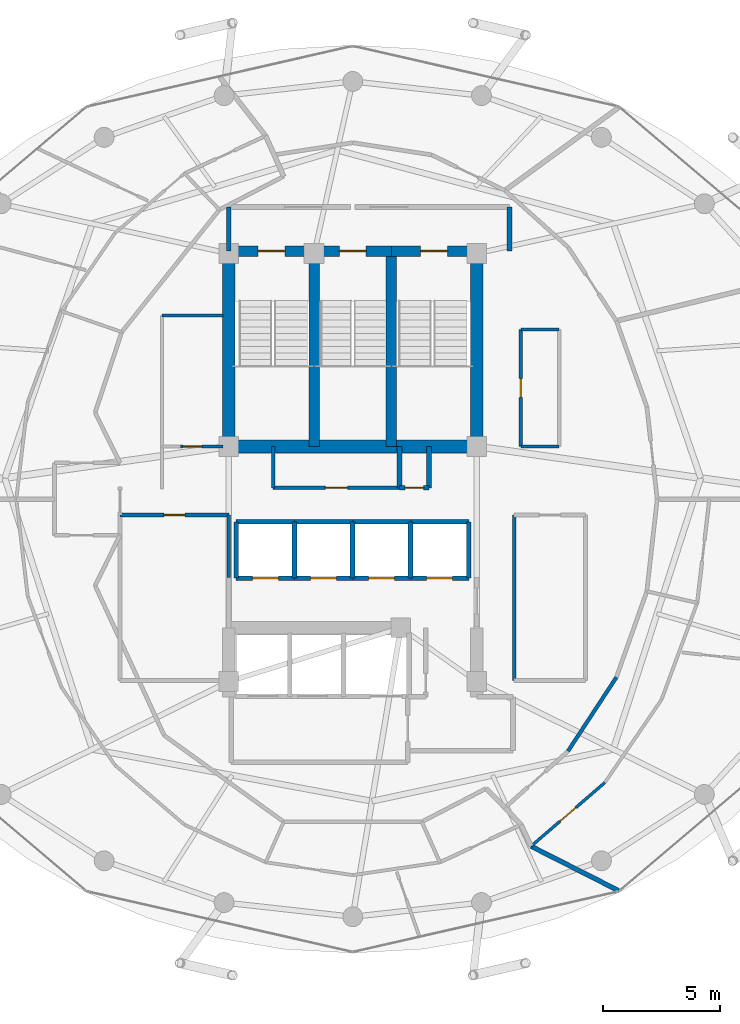
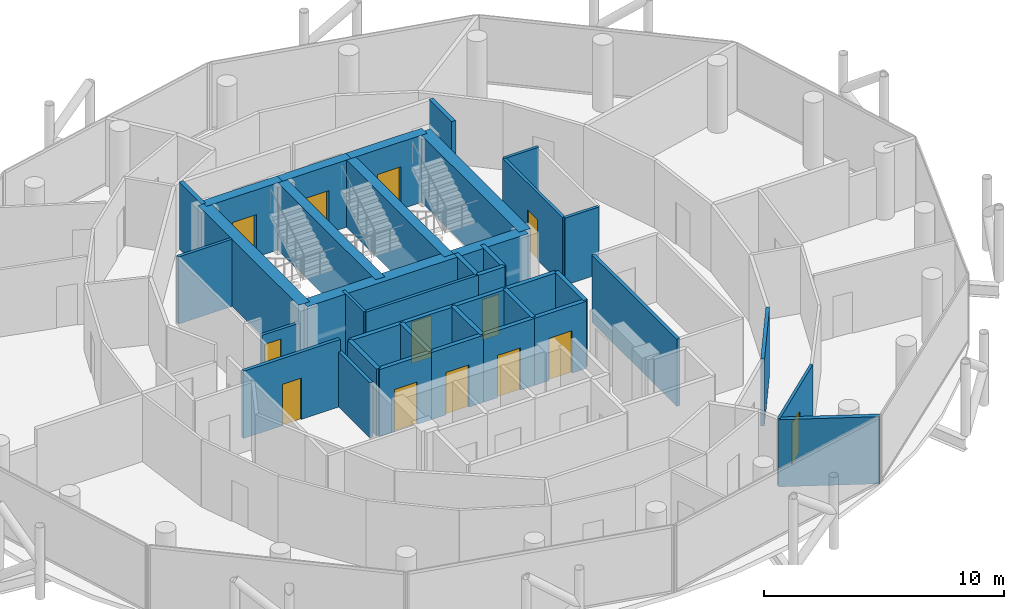
# One storey, part 24 of 27: 39 walls, 13 doors, 13 openings.
"""IFC4 building model written with IfcOpenShell, lengths in metres."""

from ifc_helpers import new_model, si_unit, direction, frame, frame_2d, origin, place, context, subcontext, project, spatial, rectangle, extrude, material, layer, layer_set, type_object, element, fill, save


model = new_model("IFC4")

# Units and contexts
model_context = context("Model", 3, precision=1e-05, world=origin(), true_north=direction((0.0, 1.0)))
body_context = subcontext(model_context, "Body", "Model", "MODEL_VIEW")
ifc_project = project(units=[si_unit("LENGTHUNIT", "METRE"), si_unit("AREAUNIT", "SQUARE_METRE"), si_unit("VOLUMEUNIT", "CUBIC_METRE"), si_unit("PLANEANGLEUNIT", "RADIAN"), si_unit("MASSUNIT", "GRAM", prefix="KILO")], contexts=[model_context])

# Site, building, storey
site_placement = place(None, origin())
site = spatial("IfcSite", under=ifc_project, at=site_placement, CompositionType="ELEMENT")
building_placement = place(site_placement, origin())
building = spatial("IfcBuilding", under=site, at=building_placement, Name="Nuhasar Tower", CompositionType="ELEMENT")
storey_placement = place(building_placement, frame((0.0, 0.0, 226.39990234375)))
storey = spatial("IfcBuildingStorey", under=building, at=storey_placement, Name="L55", CompositionType="ELEMENT", Elevation=226.39990234375)

# Wall, opening, door
ifc_material_1 = material(Name="Concrete C50/60", Category="concrete")
ifc_layer_1 = layer(ifc_material_1, 0.449951171875)
ifc_layer_set_1 = layer_set([ifc_layer_1], Name="Concrete C50/60")
wall_type_1 = type_object("IfcWallType", Name="WL-CORE-450", PredefinedType="SHEAR", material=ifc_layer_set_1)
wall_1_placement = place(storey_placement, frame((37.35009765625, 37.39990234375, 0.0), z_axis=(0.0, 0.0, 1.0), x_axis=(-1.0, 0.0, 0.0)))
wall_1 = element("IfcWall", 1, at=wall_1_placement, inside=storey, type_object=wall_type_1, Name="L55 Stairwell Shear Wall ST01-N", PredefinedType="SHEAR", context=body_context, shape_type="SweptSolid", body=[
    extrude(rectangle(XDim=3.650146484375, YDim=0.449951171875, at=frame_2d((1.8251953125, 0.0))), origin(), (0.0, 0.0, 1.0), 3.41015625),
])
opening_1_placement = place(wall_1_placement, frame((1.25, 0.0, 0.0)))
opening_1 = element("IfcOpeningElement", 2, at=opening_1_placement, cuts=wall_1, Name="Opening DS-01", PredefinedType="OPENING", context=body_context, shape_type="SweptSolid", body=[
    extrude(rectangle(XDim=1.14990234375, YDim=2.14990234375, at=frame_2d((0.574951171875, 1.074951171875))), frame((0.0, 0.23486328125, 0.0), z_axis=(0.0, -1.0, 0.0), x_axis=(1.0, 0.0, 0.0)), (0.0, 0.0, 1.0), 0.469970703125),
])
ifc_material_2 = material(Name="Steel S355", Category="steel")
door_type_1 = type_object("IfcDoorType", Name="DR-STAIR-FD120-1150", OperationType="NOTDEFINED", PredefinedType="DOOR", material=ifc_material_2)
door_1_placement = place(opening_1_placement, origin())
door_1 = element("IfcDoor", 3, at=door_1_placement, inside=storey, type_object=door_type_1, Name="L55 Exit Stair ST-01 Door", OperationType="SINGLE_SWING_RIGHT", OverallHeight=2.14990234375, OverallWidth=1.14990234375, PredefinedType="DOOR", context=body_context, shape_type="SweptSolid", body=[
    extrude(rectangle(XDim=1.14990234375, YDim=2.14990234375, at=frame_2d((0.574951171875, 1.074951171875))), frame((0.0, 0.02490234375, 0.0), z_axis=(0.0, -1.0, 0.0), x_axis=(1.0, 0.0, 0.0)), (0.0, 0.0, 1.0), 0.050048828125),
])
fill(opening_1, door_1)

# Wall
wall_2_placement = place(storey_placement, frame((37.35009765625, 29.050048828125, 0.0), z_axis=(0.0, 0.0, 1.0), x_axis=(0.0, 1.0, 0.0)))
element("IfcWall", 4, at=wall_2_placement, inside=storey, type_object=wall_type_1, Name="L55 Stairwell Shear Wall ST01-E", PredefinedType="SHEAR", context=body_context, shape_type="SweptSolid", body=[
    extrude(rectangle(XDim=8.349853515625, YDim=0.449951171875, at=frame_2d((4.1748046875, 0.0))), origin(), (0.0, 0.0, 1.0), 3.41015625),
])

# Wall, opening, door
wall_3_placement = place(storey_placement, frame((40.64990234375, 37.39990234375, 0.0), z_axis=(0.0, 0.0, 1.0), x_axis=(-1.0, 0.0, 0.0)))
wall_3 = element("IfcWall", 5, at=wall_3_placement, inside=storey, type_object=wall_type_1, Name="L55 Stairwell Shear Wall ST03-N", PredefinedType="SHEAR", context=body_context, shape_type="SweptSolid", body=[
    extrude(rectangle(XDim=3.2998046875, YDim=0.449951171875, at=frame_2d((1.64990234375, 0.0))), origin(), (0.0, 0.0, 1.0), 3.41015625),
])
opening_2_placement = place(wall_3_placement, frame((1.074951171875, 0.0, 0.0)))
opening_2 = element("IfcOpeningElement", 6, at=opening_2_placement, cuts=wall_3, Name="Opening DS-01", PredefinedType="OPENING", context=body_context, shape_type="SweptSolid", body=[
    extrude(rectangle(XDim=1.14990234375, YDim=2.14990234375, at=frame_2d((0.574951171875, 1.074951171875))), frame((0.0, 0.23486328125, 0.0), z_axis=(0.0, -1.0, 0.0), x_axis=(1.0, 0.0, 0.0)), (0.0, 0.0, 1.0), 0.469970703125),
])
door_2_placement = place(opening_2_placement, origin())
door_2 = element("IfcDoor", 7, at=door_2_placement, inside=storey, type_object=door_type_1, Name="L55 Exit Stair ST-03 Door", OperationType="SINGLE_SWING_RIGHT", OverallHeight=2.14990234375, OverallWidth=1.14990234375, PredefinedType="DOOR", context=body_context, shape_type="SweptSolid", body=[
    extrude(rectangle(XDim=1.14990234375, YDim=2.14990234375, at=frame_2d((0.574951171875, 1.074951171875))), frame((0.0, 0.02490234375, 0.0), z_axis=(0.0, -1.0, 0.0), x_axis=(1.0, 0.0, 0.0)), (0.0, 0.0, 1.0), 0.050048828125),
])
fill(opening_2, door_2)

# Wall
wall_4_placement = place(storey_placement, frame((40.64990234375, 29.050048828125, 0.0), z_axis=(0.0, 0.0, 1.0), x_axis=(0.0, 1.0, 0.0)))
element("IfcWall", 8, at=wall_4_placement, inside=storey, type_object=wall_type_1, Name="L55 Stairwell Shear Wall ST03-E", PredefinedType="SHEAR", context=body_context, shape_type="SweptSolid", body=[
    extrude(rectangle(XDim=8.349853515625, YDim=0.449951171875, at=frame_2d((4.1748046875, 0.0))), origin(), (0.0, 0.0, 1.0), 3.41015625),
])

# Wall, opening, door
wall_5_placement = place(storey_placement, frame((44.300048828125, 37.39990234375, 0.0), z_axis=(0.0, 0.0, 1.0), x_axis=(-1.0, 0.0, 0.0)))
wall_5 = element("IfcWall", 9, at=wall_5_placement, inside=storey, type_object=wall_type_1, Name="L55 Stairwell Shear Wall ST02-N", PredefinedType="SHEAR", context=body_context, shape_type="SweptSolid", body=[
    extrude(rectangle(XDim=3.650146484375, YDim=0.449951171875, at=frame_2d((1.8251953125, 0.0))), origin(), (0.0, 0.0, 1.0), 3.41015625),
])
opening_3_placement = place(wall_5_placement, frame((1.25, 0.0, 0.0)))
opening_3 = element("IfcOpeningElement", 10, at=opening_3_placement, cuts=wall_5, Name="Opening DS-01", PredefinedType="OPENING", context=body_context, shape_type="SweptSolid", body=[
    extrude(rectangle(XDim=1.14990234375, YDim=2.14990234375, at=frame_2d((0.574951171875, 1.074951171875))), frame((0.0, 0.23486328125, 0.0), z_axis=(0.0, -1.0, 0.0), x_axis=(1.0, 0.0, 0.0)), (0.0, 0.0, 1.0), 0.469970703125),
])
door_3_placement = place(opening_3_placement, origin())
door_3 = element("IfcDoor", 11, at=door_3_placement, inside=storey, type_object=door_type_1, Name="L55 Exit Stair ST-02 Door", OperationType="SINGLE_SWING_LEFT", OverallHeight=2.14990234375, OverallWidth=1.14990234375, PredefinedType="DOOR", context=body_context, shape_type="SweptSolid", body=[
    extrude(rectangle(XDim=1.14990234375, YDim=2.14990234375, at=frame_2d((0.574951171875, 1.074951171875))), frame((0.0, 0.02490234375, 0.0), z_axis=(0.0, -1.0, 0.0), x_axis=(1.0, 0.0, 0.0)), (0.0, 0.0, 1.0), 0.050048828125),
])
fill(opening_3, door_3)

# Walls
ifc_material_3 = material(Name="Concrete C55/67", Category="concrete")
ifc_layer_2 = layer(ifc_material_3, 0.550048828125)
ifc_layer_set_2 = layer_set([ifc_layer_2], Name="Concrete C55/67")
wall_type_2 = type_object("IfcWallType", Name="WL-CORE-550", PredefinedType="SHEAR", material=ifc_layer_set_2)
for number, where, z_axis, x_axis, name in (
    (12, (33.699951171875, 29.050048828125, 0.0), (0.0, 0.0, 1.0), (0.0, 1.0, 0.0), "L55 Core Shear Wall CW-NW CW-550"),
    (13, (44.300048828125, 29.050048828125, 0.0), (0.0, 0.0, 1.0), (0.0, 1.0, 0.0), "L55 Core Shear Wall CW-NE CW-550"),
):
    element("IfcWall", number, at=place(storey_placement, frame(where, z_axis=z_axis, x_axis=x_axis)), inside=storey, type_object=wall_type_2, Name=name, PredefinedType="SHEAR", context=body_context, shape_type="SweptSolid", body=[
        extrude(rectangle(XDim=8.349853515625, YDim=0.550048828125, at=frame_2d((4.1748046875, 0.0))), origin(), (0.0, 0.0, 1.0), 3.41015625),
    ])
wall_6_placement = place(storey_placement, frame((33.699951171875, 29.050048828125, 0.0), z_axis=(0.0, 0.0, 1.0), x_axis=(1.0, 0.0, 0.0)))
element("IfcWall", 14, at=wall_6_placement, inside=storey, type_object=wall_type_2, Name="L55 Core Shear Wall CW-N1 CW-550", PredefinedType="SHEAR", context=body_context, shape_type="SweptSolid", body=[
    extrude(rectangle(XDim=10.60009765625, YDim=0.550048828125, at=frame_2d((5.300048828125, 0.0))), origin(), (0.0, 0.0, 1.0), 3.41015625),
])
ifc_material_4 = material(Name="Gypsum Board", Category="gypsum")
ifc_layer_3 = layer(ifc_material_4, 0.159912109375)
ifc_layer_set_3 = layer_set([ifc_layer_3], Name="Gypsum Board")
wall_type_3 = type_object("IfcWallType", Name="WL-CORR-160", PredefinedType="PARTITIONING", material=ifc_layer_set_3)
wall_7_placement = place(storey_placement, frame((33.699951171875, 23.449951171875, 0.0), z_axis=(0.0, 0.0, 1.0), x_axis=(0.0, 1.0, 0.0)))
element("IfcWall", 15, at=wall_7_placement, inside=storey, type_object=wall_type_3, Name="L55 Interior Partition RECL-B1-E", PredefinedType="PARTITIONING", context=body_context, shape_type="SweptSolid", body=[
    extrude(rectangle(XDim=2.670166015625, YDim=0.159912109375, at=frame_2d((1.3349609375, 0.0))), origin(), (0.0, 0.0, 1.0), 2.795166015625),
])

# Wall, opening, door
wall_8_placement = place(storey_placement, frame((33.699951171875, 26.1201171875, 0.0), z_axis=(0.0, 0.0, 1.0), x_axis=(-1.0, 0.0, 0.0)))
wall_8 = element("IfcWall", 16, at=wall_8_placement, inside=storey, type_object=wall_type_3, Name="L55 Interior Partition RECL-B1-N", PredefinedType="PARTITIONING", context=body_context, shape_type="SweptSolid", body=[
    extrude(rectangle(XDim=4.64990234375, YDim=0.159912109375, at=frame_2d((2.324951171875, 0.0))), origin(), (0.0, 0.0, 1.0), 3.41015625),
])
opening_4_placement = place(wall_8_placement, frame((1.875, 0.0, 0.0)))
opening_4 = element("IfcOpeningElement", 17, at=opening_4_placement, cuts=wall_8, Name="Opening DR-01", PredefinedType="OPENING", context=body_context, shape_type="SweptSolid", body=[
    extrude(rectangle(XDim=0.89990234375, YDim=2.10009765625, at=frame_2d((0.449951171875, 1.050048828125))), frame((0.0, 0.08984375, 0.0), z_axis=(0.0, -1.0, 0.0), x_axis=(1.0, 0.0, 0.0)), (0.0, 0.0, 1.0), 0.179931640625),
])
ifc_material_5 = material(Name="Timber Oak", Category="wood")
door_type_2 = type_object("IfcDoorType", Name="DR-ROOM-900", OperationType="NOTDEFINED", PredefinedType="DOOR", material=ifc_material_5)
door_4_placement = place(opening_4_placement, origin())
door_4 = element("IfcDoor", 18, at=door_4_placement, inside=storey, type_object=door_type_2, Name="L55 Butler Store Door", OperationType="SINGLE_SWING_LEFT", OverallHeight=2.10009765625, OverallWidth=0.89990234375, PredefinedType="DOOR", context=body_context, shape_type="SweptSolid", body=[
    extrude(rectangle(XDim=0.89990234375, YDim=2.10009765625, at=frame_2d((0.449951171875, 1.050048828125))), frame((0.0, 0.02490234375, 0.0), z_axis=(0.0, -1.0, 0.0), x_axis=(1.0, 0.0, 0.0)), (0.0, 0.0, 1.0), 0.050048828125),
])
fill(opening_4, door_4)

# Walls
wall_9_placement = place(storey_placement, frame((45.89990234375, 19.050048828125, 0.0), z_axis=(0.0, 0.0, 1.0), x_axis=(0.0, 1.0, 0.0)))
element("IfcWall", 19, at=wall_9_placement, inside=storey, type_object=wall_type_3, Name="L55 Interior Partition RECL-B2-W", PredefinedType="PARTITIONING", context=body_context, shape_type="SweptSolid", body=[
    extrude(rectangle(XDim=7.070068359375, YDim=0.159912109375, at=frame_2d((3.53515625, 0.0))), origin(), (0.0, 0.0, 1.0), 3.41015625),
])
wall_10_placement = place(storey_placement, frame((48.198974609375, 16.031005859375, 0.0), z_axis=(0.0, 0.0, 1.0), x_axis=(0.548335441843, 0.836258478712, 0.0)))
element("IfcWall", 20, at=wall_10_placement, inside=storey, type_object=wall_type_3, Name="L55 Interior Partition CORR-42", PredefinedType="PARTITIONING", context=body_context, shape_type="SweptSolid", body=[
    extrude(rectangle(XDim=3.771728515625, YDim=0.159912109375, at=frame_2d((1.8857421875, 0.0))), origin(), (0.0, 0.0, 1.0), 3.41015625),
])
ifc_material_6 = material(Name="Concrete C45/55", Category="concrete")
ifc_layer_4 = layer(ifc_material_6, 0.199951171875)
ifc_layer_set_4 = layer_set([ifc_layer_4], Name="Concrete C45/55")
wall_type_4 = type_object("IfcWallType", Name="WL-LOBBY-200", PredefinedType="SOLIDWALL", material=ifc_layer_set_4)
for number, where, z_axis, x_axis, name in (
    (21, (33.699951171875, 37.39990234375, 0.0), (0.0, 0.0, 1.0), (0.0, 1.0, 0.0), "L55 Interior Partition NSL-W"),
    (22, (45.699951171875, 37.39990234375, 0.0), (0.0, 0.0, 1.0), (0.0, 1.0, 0.0), "L55 Interior Partition NSL-E"),
):
    element("IfcWall", number, at=place(storey_placement, frame(where, z_axis=z_axis, x_axis=x_axis)), inside=storey, type_object=wall_type_4, Name=name, PredefinedType="SOLIDWALL", context=body_context, shape_type="SweptSolid", body=[
        extrude(rectangle(XDim=1.880126953125, YDim=0.199951171875, at=frame_2d((0.93994140625, 0.0))), origin(), (0.0, 0.0, 1.0), 3.41015625),
    ])

# Wall, opening, door
ifc_layer_5 = layer(ifc_material_4, 0.125)
ifc_layer_set_5 = layer_set([ifc_layer_5], Name="Gypsum Board")
wall_type_5 = type_object("IfcWallType", Name="WL-PART-125", PredefinedType="PARTITIONING", material=ifc_layer_set_5)
wall_11_placement = place(storey_placement, frame((49.77587890625, 14.68701171875, 0.0), z_axis=(0.0, 0.0, 1.0), x_axis=(-0.757239102967, -0.653137765665, 0.0)))
wall_11 = element("IfcWall", 23, at=wall_11_placement, inside=storey, type_object=wall_type_5, Name="L55 Interior Partition UMID-01-A-40", PredefinedType="PARTITIONING", context=body_context, shape_type="SweptSolid", body=[
    extrude(rectangle(XDim=4.16748046875, YDim=0.125, at=frame_2d((2.083740234375, 0.0))), origin(), (0.0, 0.0, 1.0), 3.41015625),
])
opening_5_placement = place(wall_11_placement, frame((1.634033203125, 0.0, 0.0)))
opening_5 = element("IfcOpeningElement", 24, at=opening_5_placement, cuts=wall_11, Name="Opening DR-01", PredefinedType="OPENING", context=body_context, shape_type="SweptSolid", body=[
    extrude(rectangle(XDim=0.89990234375, YDim=2.10009765625, at=frame_2d((0.449951171875, 1.050048828125))), frame((0.0, 0.072509765625, 0.0), z_axis=(0.0, -1.0, 0.0), x_axis=(1.0, 0.0, 0.0)), (0.0, 0.0, 1.0), 0.14501953125),
])
door_5_placement = place(opening_5_placement, origin())
door_5 = element("IfcDoor", 25, at=door_5_placement, inside=storey, type_object=door_type_2, Name="L55 U01 Living Door", OperationType="SINGLE_SWING_LEFT", OverallHeight=2.10009765625, OverallWidth=0.89990234375, PredefinedType="DOOR", context=body_context, shape_type="SweptSolid", body=[
    extrude(rectangle(XDim=0.89990234375, YDim=2.10009765625, at=frame_2d((0.449951171875, 1.050048828125))), frame((0.0, 0.02490234375, 0.0), z_axis=(0.0, -1.0, 0.0), x_axis=(1.0, 0.0, 0.0)), (0.0, 0.0, 1.0), 0.050048828125),
])
fill(opening_5, door_5)

# Walls
ifc_layer_6 = layer(ifc_material_6, 0.199951171875)
ifc_layer_set_6 = layer_set([ifc_layer_6], Name="Concrete C45/55")
wall_type_6 = type_object("IfcWallType", Name="WL-SHAFT-200", PredefinedType="SOLIDWALL", material=ifc_layer_set_6)
for number, where, z_axis, x_axis, name in (
    (26, (41.0, 27.280029296875, 0.0), (0.0, 0.0, 1.0), (0.0, 1.0, 0.0), "L55 Interior Partition RSRN-W"),
    (27, (42.260009765625, 27.280029296875, 0.0), (0.0, 0.0, 1.0), (0.0, 1.0, 0.0), "L55 Interior Partition RSRN-E"),
):
    element("IfcWall", number, at=place(storey_placement, frame(where, z_axis=z_axis, x_axis=x_axis)), inside=storey, type_object=wall_type_6, Name=name, PredefinedType="SOLIDWALL", context=body_context, shape_type="SweptSolid", body=[
        extrude(rectangle(XDim=1.77001953125, YDim=0.199951171875, at=frame_2d((0.885009765625, 0.0))), origin(), (0.0, 0.0, 1.0), 3.41015625),
    ])

# Wall, opening, door
wall_12_placement = place(storey_placement, frame((41.0, 27.280029296875, 0.0), z_axis=(0.0, 0.0, 1.0), x_axis=(1.0, 0.0, 0.0)))
wall_12 = element("IfcWall", 28, at=wall_12_placement, inside=storey, type_object=wall_type_6, Name="L55 Interior Partition RSRN-S", PredefinedType="SOLIDWALL", context=body_context, shape_type="SweptSolid", body=[
    extrude(rectangle(XDim=1.260009765625, YDim=0.199951171875, at=frame_2d((0.6298828125, 0.0))), origin(), (0.0, 0.0, 1.0), 3.41015625),
])
opening_6_placement = place(wall_12_placement, frame((0.22998046875, 0.0, 0.0)))
opening_6 = element("IfcOpeningElement", 29, at=opening_6_placement, cuts=wall_12, Name="Opening DM-01", PredefinedType="OPENING", context=body_context, shape_type="SweptSolid", body=[
    extrude(rectangle(XDim=0.800048828125, YDim=2.050048828125, at=frame_2d((0.39990234375, 1.02490234375))), frame((0.0, 0.10986328125, 0.0), z_axis=(0.0, -1.0, 0.0), x_axis=(1.0, 0.0, 0.0)), (0.0, 0.0, 1.0), 0.219970703125),
])
door_type_3 = type_object("IfcDoorType", Name="DR-RISER-FD60-800", OperationType="NOTDEFINED", PredefinedType="DOOR", material=ifc_material_2)
door_6_placement = place(opening_6_placement, origin())
door_6 = element("IfcDoor", 30, at=door_6_placement, inside=storey, type_object=door_type_3, Name="L55 North Smoke Riser Door", OperationType="SINGLE_SWING_RIGHT", OverallHeight=2.050048828125, OverallWidth=0.800048828125, PredefinedType="DOOR", context=body_context, shape_type="SweptSolid", body=[
    extrude(rectangle(XDim=0.800048828125, YDim=2.050048828125, at=frame_2d((0.39990234375, 1.02490234375))), frame((0.0, 0.02490234375, 0.0), z_axis=(0.0, -1.0, 0.0), x_axis=(1.0, 0.0, 0.0)), (0.0, 0.0, 1.0), 0.050048828125),
])
fill(opening_6, door_6)

wall_13_placement = place(storey_placement, frame((34.02001953125, 23.419921875, 0.0), z_axis=(0.0, 0.0, 1.0), x_axis=(1.0, 0.0, 0.0)))
wall_13 = element("IfcWall", 31, at=wall_13_placement, inside=storey, type_object=wall_type_6, Name="L55 Interior Partition SHF-PL-H01-S", PredefinedType="SOLIDWALL", context=body_context, shape_type="SweptSolid", body=[
    extrude(rectangle(XDim=2.5, YDim=0.199951171875, at=frame_2d((1.25, 0.0))), origin(), (0.0, 0.0, 1.0), 3.41015625),
])
opening_7_placement = place(wall_13_placement, frame((0.699951171875, 0.0, 0.0)))
opening_7 = element("IfcOpeningElement", 32, at=opening_7_placement, cuts=wall_13, Name="Opening LD-H01", PredefinedType="OPENING", context=body_context, shape_type="SweptSolid", body=[
    extrude(rectangle(XDim=1.10009765625, YDim=2.14990234375, at=frame_2d((0.550048828125, 1.074951171875))), frame((0.0, 0.10986328125, 0.0), z_axis=(0.0, -1.0, 0.0), x_axis=(1.0, 0.0, 0.0)), (0.0, 0.0, 1.0), 0.219970703125),
])
ifc_material_7 = material(Name="Stainless Steel 316L", Category="steel")
door_type_4 = type_object("IfcDoorType", Name="LD-PAX-1100", OperationType="DOUBLE_DOOR_SLIDING", PredefinedType="DOOR", material=ifc_material_7)
door_7_placement = place(opening_7_placement, origin())
door_7 = element("IfcDoor", 33, at=door_7_placement, inside=storey, type_object=door_type_4, Name="L55 Lift Landing Door PL-H01", OperationType="DOUBLE_DOOR_SLIDING", OverallHeight=2.14990234375, OverallWidth=1.10009765625, PredefinedType="DOOR", context=body_context, shape_type="SweptSolid", body=[
    extrude(rectangle(XDim=1.10009765625, YDim=2.14990234375, at=frame_2d((0.550048828125, 1.074951171875))), frame((0.0, 0.02490234375, 0.0), z_axis=(0.0, -1.0, 0.0), x_axis=(1.0, 0.0, 0.0)), (0.0, 0.0, 1.0), 0.050048828125),
])
fill(opening_7, door_7)

# Walls
wall_14_placement = place(storey_placement, frame((34.02001953125, 25.830078125, 0.0), z_axis=(0.0, 0.0, 1.0), x_axis=(1.0, 0.0, 0.0)))
element("IfcWall", 34, at=wall_14_placement, inside=storey, type_object=wall_type_6, Name="L55 Interior Partition SHF-PL-H01-N", PredefinedType="SOLIDWALL", context=body_context, shape_type="SweptSolid", body=[
    extrude(rectangle(XDim=2.5, YDim=0.199951171875, at=frame_2d((1.25, 0.0))), origin(), (0.0, 0.0, 1.0), 3.41015625),
])
for number, where, z_axis, x_axis, name in (
    (35, (34.02001953125, 23.419921875, 0.0), (0.0, 0.0, 1.0), (0.0, 1.0, 0.0), "L55 Interior Partition SHF-PL-H01-W"),
    (36, (36.510009765625, 23.419921875, 0.0), (0.0, 0.0, 1.0), (0.0, 1.0, 0.0), "L55 Interior Partition SHF-PL-H01-E"),
):
    element("IfcWall", number, at=place(storey_placement, frame(where, z_axis=z_axis, x_axis=x_axis)), inside=storey, type_object=wall_type_6, Name=name, PredefinedType="SOLIDWALL", context=body_context, shape_type="SweptSolid", body=[
        extrude(rectangle(XDim=2.41015625, YDim=0.199951171875, at=frame_2d((1.205078125, 0.0))), origin(), (0.0, 0.0, 1.0), 3.41015625),
    ])

# Wall, opening, door
wall_15_placement = place(storey_placement, frame((36.5, 23.419921875, 0.0), z_axis=(0.0, 0.0, 1.0), x_axis=(1.0, 0.0, 0.0)))
wall_15 = element("IfcWall", 37, at=wall_15_placement, inside=storey, type_object=wall_type_6, Name="L55 Interior Partition SHF-PL-H02-S", PredefinedType="SOLIDWALL", context=body_context, shape_type="SweptSolid", body=[
    extrude(rectangle(XDim=2.5, YDim=0.199951171875, at=frame_2d((1.25, 0.0))), origin(), (0.0, 0.0, 1.0), 3.41015625),
])
opening_8_placement = place(wall_15_placement, frame((0.699951171875, 0.0, 0.0)))
opening_8 = element("IfcOpeningElement", 38, at=opening_8_placement, cuts=wall_15, Name="Opening LD-H02", PredefinedType="OPENING", context=body_context, shape_type="SweptSolid", body=[
    extrude(rectangle(XDim=1.10009765625, YDim=2.14990234375, at=frame_2d((0.550048828125, 1.074951171875))), frame((0.0, 0.10986328125, 0.0), z_axis=(0.0, -1.0, 0.0), x_axis=(1.0, 0.0, 0.0)), (0.0, 0.0, 1.0), 0.219970703125),
])
door_8_placement = place(opening_8_placement, origin())
door_8 = element("IfcDoor", 39, at=door_8_placement, inside=storey, type_object=door_type_4, Name="L55 Lift Landing Door PL-H02", OperationType="DOUBLE_DOOR_SLIDING", OverallHeight=2.14990234375, OverallWidth=1.10009765625, PredefinedType="DOOR", context=body_context, shape_type="SweptSolid", body=[
    extrude(rectangle(XDim=1.10009765625, YDim=2.14990234375, at=frame_2d((0.550048828125, 1.074951171875))), frame((0.0, 0.02490234375, 0.0), z_axis=(0.0, -1.0, 0.0), x_axis=(1.0, 0.0, 0.0)), (0.0, 0.0, 1.0), 0.050048828125),
])
fill(opening_8, door_8)

# Walls
wall_16_placement = place(storey_placement, frame((36.5, 25.830078125, 0.0), z_axis=(0.0, 0.0, 1.0), x_axis=(1.0, 0.0, 0.0)))
element("IfcWall", 40, at=wall_16_placement, inside=storey, type_object=wall_type_6, Name="L55 Interior Partition SHF-PL-H02-N", PredefinedType="SOLIDWALL", context=body_context, shape_type="SweptSolid", body=[
    extrude(rectangle(XDim=2.5, YDim=0.199951171875, at=frame_2d((1.25, 0.0))), origin(), (0.0, 0.0, 1.0), 3.41015625),
])
wall_17_placement = place(storey_placement, frame((38.989990234375, 23.419921875, 0.0), z_axis=(0.0, 0.0, 1.0), x_axis=(0.0, 1.0, 0.0)))
element("IfcWall", 41, at=wall_17_placement, inside=storey, type_object=wall_type_6, Name="L55 Interior Partition SHF-PL-H02-E", PredefinedType="SOLIDWALL", context=body_context, shape_type="SweptSolid", body=[
    extrude(rectangle(XDim=2.41015625, YDim=0.199951171875, at=frame_2d((1.205078125, 0.0))), origin(), (0.0, 0.0, 1.0), 3.41015625),
])

# Wall, opening, door
wall_18_placement = place(storey_placement, frame((38.97998046875, 23.419921875, 0.0), z_axis=(0.0, 0.0, 1.0), x_axis=(1.0, 0.0, 0.0)))
wall_18 = element("IfcWall", 42, at=wall_18_placement, inside=storey, type_object=wall_type_6, Name="L55 Interior Partition SHF-PL-H03-S", PredefinedType="SOLIDWALL", context=body_context, shape_type="SweptSolid", body=[
    extrude(rectangle(XDim=2.5, YDim=0.199951171875, at=frame_2d((1.25, 0.0))), origin(), (0.0, 0.0, 1.0), 3.41015625),
])
opening_9_placement = place(wall_18_placement, frame((0.699951171875, 0.0, 0.0)))
opening_9 = element("IfcOpeningElement", 43, at=opening_9_placement, cuts=wall_18, Name="Opening LD-H03", PredefinedType="OPENING", context=body_context, shape_type="SweptSolid", body=[
    extrude(rectangle(XDim=1.10009765625, YDim=2.14990234375, at=frame_2d((0.550048828125, 1.074951171875))), frame((0.0, 0.10986328125, 0.0), z_axis=(0.0, -1.0, 0.0), x_axis=(1.0, 0.0, 0.0)), (0.0, 0.0, 1.0), 0.219970703125),
])
door_9_placement = place(opening_9_placement, origin())
door_9 = element("IfcDoor", 44, at=door_9_placement, inside=storey, type_object=door_type_4, Name="L55 Lift Landing Door PL-H03", OperationType="DOUBLE_DOOR_SLIDING", OverallHeight=2.14990234375, OverallWidth=1.10009765625, PredefinedType="DOOR", context=body_context, shape_type="SweptSolid", body=[
    extrude(rectangle(XDim=1.10009765625, YDim=2.14990234375, at=frame_2d((0.550048828125, 1.074951171875))), frame((0.0, 0.02490234375, 0.0), z_axis=(0.0, -1.0, 0.0), x_axis=(1.0, 0.0, 0.0)), (0.0, 0.0, 1.0), 0.050048828125),
])
fill(opening_9, door_9)

# Walls
wall_19_placement = place(storey_placement, frame((38.97998046875, 25.830078125, 0.0), z_axis=(0.0, 0.0, 1.0), x_axis=(1.0, 0.0, 0.0)))
element("IfcWall", 45, at=wall_19_placement, inside=storey, type_object=wall_type_6, Name="L55 Interior Partition SHF-PL-H03-N", PredefinedType="SOLIDWALL", context=body_context, shape_type="SweptSolid", body=[
    extrude(rectangle(XDim=2.5, YDim=0.199951171875, at=frame_2d((1.25, 0.0))), origin(), (0.0, 0.0, 1.0), 3.41015625),
])
wall_20_placement = place(storey_placement, frame((41.469970703125, 23.419921875, 0.0), z_axis=(0.0, 0.0, 1.0), x_axis=(0.0, 1.0, 0.0)))
element("IfcWall", 46, at=wall_20_placement, inside=storey, type_object=wall_type_6, Name="L55 Interior Partition SHF-PL-H03-E", PredefinedType="SOLIDWALL", context=body_context, shape_type="SweptSolid", body=[
    extrude(rectangle(XDim=2.41015625, YDim=0.199951171875, at=frame_2d((1.205078125, 0.0))), origin(), (0.0, 0.0, 1.0), 3.41015625),
])

# Wall, opening, door
wall_21_placement = place(storey_placement, frame((41.4599609375, 23.419921875, 0.0), z_axis=(0.0, 0.0, 1.0), x_axis=(1.0, 0.0, 0.0)))
wall_21 = element("IfcWall", 47, at=wall_21_placement, inside=storey, type_object=wall_type_6, Name="L55 Interior Partition SHF-PL-H04-S", PredefinedType="SOLIDWALL", context=body_context, shape_type="SweptSolid", body=[
    extrude(rectangle(XDim=2.5, YDim=0.199951171875, at=frame_2d((1.25, 0.0))), origin(), (0.0, 0.0, 1.0), 3.41015625),
])
opening_10_placement = place(wall_21_placement, frame((0.699951171875, 0.0, 0.0)))
opening_10 = element("IfcOpeningElement", 48, at=opening_10_placement, cuts=wall_21, Name="Opening LD-H04", PredefinedType="OPENING", context=body_context, shape_type="SweptSolid", body=[
    extrude(rectangle(XDim=1.10009765625, YDim=2.14990234375, at=frame_2d((0.550048828125, 1.074951171875))), frame((0.0, 0.10986328125, 0.0), z_axis=(0.0, -1.0, 0.0), x_axis=(1.0, 0.0, 0.0)), (0.0, 0.0, 1.0), 0.219970703125),
])
door_10_placement = place(opening_10_placement, origin())
door_10 = element("IfcDoor", 49, at=door_10_placement, inside=storey, type_object=door_type_4, Name="L55 Lift Landing Door PL-H04", OperationType="DOUBLE_DOOR_SLIDING", OverallHeight=2.14990234375, OverallWidth=1.10009765625, PredefinedType="DOOR", context=body_context, shape_type="SweptSolid", body=[
    extrude(rectangle(XDim=1.10009765625, YDim=2.14990234375, at=frame_2d((0.550048828125, 1.074951171875))), frame((0.0, 0.02490234375, 0.0), z_axis=(0.0, -1.0, 0.0), x_axis=(1.0, 0.0, 0.0)), (0.0, 0.0, 1.0), 0.050048828125),
])
fill(opening_10, door_10)

# Walls
wall_22_placement = place(storey_placement, frame((41.4599609375, 25.830078125, 0.0), z_axis=(0.0, 0.0, 1.0), x_axis=(1.0, 0.0, 0.0)))
element("IfcWall", 50, at=wall_22_placement, inside=storey, type_object=wall_type_6, Name="L55 Interior Partition SHF-PL-H04-N", PredefinedType="SOLIDWALL", context=body_context, shape_type="SweptSolid", body=[
    extrude(rectangle(XDim=2.5, YDim=0.199951171875, at=frame_2d((1.25, 0.0))), origin(), (0.0, 0.0, 1.0), 3.41015625),
])
wall_23_placement = place(storey_placement, frame((43.9599609375, 23.419921875, 0.0), z_axis=(0.0, 0.0, 1.0), x_axis=(0.0, 1.0, 0.0)))
element("IfcWall", 51, at=wall_23_placement, inside=storey, type_object=wall_type_6, Name="L55 Interior Partition SHF-PL-H04-E", PredefinedType="SOLIDWALL", context=body_context, shape_type="SweptSolid", body=[
    extrude(rectangle(XDim=2.41015625, YDim=0.199951171875, at=frame_2d((1.205078125, 0.0))), origin(), (0.0, 0.0, 1.0), 3.41015625),
])
ifc_material_8 = material(Name="Concrete C40/50 precast", Category="concrete")
ifc_layer_7 = layer(ifc_material_8, 0.199951171875)
ifc_layer_set_7 = layer_set([ifc_layer_7], Name="Concrete C40/50 precast")
wall_type_7 = type_object("IfcWallType", Name="WL-UNIT-200", PredefinedType="PARTITIONING", material=ifc_layer_set_7)
wall_24_placement = place(storey_placement, frame((46.6201171875, 11.965087890625, 0.0), z_axis=(0.0, 0.0, 1.0), x_axis=(0.891582967948, -0.452857385129, 0.0)))
element("IfcWall", 52, at=wall_24_placement, inside=storey, type_object=wall_type_7, Name="L55 Interior Partition URAD-40-SW-S4", PredefinedType="PARTITIONING", context=body_context, shape_type="SweptSolid", body=[
    extrude(rectangle(XDim=4.197998046875, YDim=0.199951171875, at=frame_2d((2.09912109375, 0.0))), origin(), (0.0, 0.0, 1.0), 3.41015625),
])
ifc_layer_8 = layer(ifc_material_8, 0.139892578125)
ifc_layer_set_8 = layer_set([ifc_layer_8], Name="Concrete C40/50 precast")
wall_type_8 = type_object("IfcWallType", Name="WL-WET-140", PredefinedType="PARTITIONING", material=ifc_layer_set_8)
wall_25_placement = place(storey_placement, frame((35.60009765625, 27.280029296875, 0.0), z_axis=(0.0, 0.0, 1.0), x_axis=(0.0, 1.0, 0.0)))
element("IfcWall", 53, at=wall_25_placement, inside=storey, type_object=wall_type_8, Name="L55 Interior Partition CSVC-W", PredefinedType="PARTITIONING", context=body_context, shape_type="SweptSolid", body=[
    extrude(rectangle(XDim=1.77001953125, YDim=0.139892578125, at=frame_2d((0.885009765625, 0.0))), origin(), (0.0, 0.0, 1.0), 3.41015625),
])

# Wall, opening, door
wall_26_placement = place(storey_placement, frame((35.60009765625, 27.280029296875, 0.0), z_axis=(0.0, 0.0, 1.0), x_axis=(1.0, 0.0, 0.0)))
wall_26 = element("IfcWall", 54, at=wall_26_placement, inside=storey, type_object=wall_type_8, Name="L55 Interior Partition CSVC-S", PredefinedType="PARTITIONING", context=body_context, shape_type="SweptSolid", body=[
    extrude(rectangle(XDim=5.39990234375, YDim=0.139892578125, at=frame_2d((2.699951171875, 0.0))), origin(), (0.0, 0.0, 1.0), 3.41015625),
])
opening_11_placement = place(wall_26_placement, frame((2.22509765625, 0.0, 0.0)))
opening_11 = element("IfcOpeningElement", 55, at=opening_11_placement, cuts=wall_26, Name="Opening DA-01", PredefinedType="OPENING", context=body_context, shape_type="SweptSolid", body=[
    extrude(rectangle(XDim=0.949951171875, YDim=2.10009765625, at=frame_2d((0.47509765625, 1.050048828125))), frame((0.0, 0.080078125, 0.0), z_axis=(0.0, -1.0, 0.0), x_axis=(1.0, 0.0, 0.0)), (0.0, 0.0, 1.0), 0.159912109375),
])
door_type_5 = type_object("IfcDoorType", Name="DR-ACCWC-950", OperationType="NOTDEFINED", PredefinedType="DOOR", material=ifc_material_5)
door_11_placement = place(opening_11_placement, origin())
door_11 = element("IfcDoor", 56, at=door_11_placement, inside=storey, type_object=door_type_5, Name="L55 Core Accessible Restroom Door", OperationType="SINGLE_SWING_LEFT", OverallHeight=2.10009765625, OverallWidth=0.949951171875, PredefinedType="DOOR", context=body_context, shape_type="SweptSolid", body=[
    extrude(rectangle(XDim=0.949951171875, YDim=2.10009765625, at=frame_2d((0.47509765625, 1.050048828125))), frame((0.0, 0.02490234375, 0.0), z_axis=(0.0, -1.0, 0.0), x_axis=(1.0, 0.0, 0.0)), (0.0, 0.0, 1.0), 0.050048828125),
])
fill(opening_11, door_11)

wall_27_placement = place(storey_placement, frame((31.6298828125, 29.050048828125, 0.0), z_axis=(0.0, 0.0, 1.0), x_axis=(1.0, 0.0, 0.0)))
wall_27 = element("IfcWall", 57, at=wall_27_placement, inside=storey, type_object=wall_type_8, Name="L55 Interior Partition K3-NW-S", PredefinedType="PARTITIONING", context=body_context, shape_type="SweptSolid", body=[
    extrude(rectangle(XDim=1.820068359375, YDim=0.139892578125, at=frame_2d((0.91015625, 0.0))), origin(), (0.0, 0.0, 1.0), 2.550048828125),
])
opening_12_placement = place(wall_27_placement, frame((0.1201171875, 0.0, 0.0)))
opening_12 = element("IfcOpeningElement", 58, at=opening_12_placement, cuts=wall_27, Name="Opening DM-01", PredefinedType="OPENING", context=body_context, shape_type="SweptSolid", body=[
    extrude(rectangle(XDim=0.800048828125, YDim=2.050048828125, at=frame_2d((0.39990234375, 1.02490234375))), frame((0.0, 0.080078125, 0.0), z_axis=(0.0, -1.0, 0.0), x_axis=(1.0, 0.0, 0.0)), (0.0, 0.0, 1.0), 0.159912109375),
])
door_12_placement = place(opening_12_placement, origin())
door_12 = element("IfcDoor", 59, at=door_12_placement, inside=storey, type_object=door_type_3, Name="L55 NW Electrical Room Door", OperationType="SINGLE_SWING_LEFT", OverallHeight=2.050048828125, OverallWidth=0.800048828125, PredefinedType="DOOR", context=body_context, shape_type="SweptSolid", body=[
    extrude(rectangle(XDim=0.800048828125, YDim=2.050048828125, at=frame_2d((0.39990234375, 1.02490234375))), frame((0.0, 0.02490234375, 0.0), z_axis=(0.0, -1.0, 0.0), x_axis=(1.0, 0.0, 0.0)), (0.0, 0.0, 1.0), 0.050048828125),
])
fill(opening_12, door_12)

# Wall
wall_28_placement = place(storey_placement, frame((30.85009765625, 34.64990234375, 0.0), z_axis=(0.0, 0.0, 1.0), x_axis=(1.0, 0.0, 0.0)))
element("IfcWall", 60, at=wall_28_placement, inside=storey, type_object=wall_type_8, Name="L55 Interior Partition K3-NW-N", PredefinedType="PARTITIONING", context=body_context, shape_type="SweptSolid", body=[
    extrude(rectangle(XDim=2.599853515625, YDim=0.139892578125, at=frame_2d((1.2998046875, 0.0))), origin(), (0.0, 0.0, 1.0), 3.41015625),
])

# Wall, opening, door
wall_29_placement = place(storey_placement, frame((46.179931640625, 34.050048828125, 0.0), z_axis=(0.0, 0.0, 1.0), x_axis=(0.0, -1.0, 0.0)))
wall_29 = element("IfcWall", 61, at=wall_29_placement, inside=storey, type_object=wall_type_8, Name="L55 Interior Partition K3-NE-W", PredefinedType="PARTITIONING", context=body_context, shape_type="SweptSolid", body=[
    extrude(rectangle(XDim=5.0, YDim=0.139892578125, at=frame_2d((2.5, 0.0))), origin(), (0.0, 0.0, 1.0), 3.41015625),
])
opening_13_placement = place(wall_29_placement, frame((2.10009765625, 0.0, 0.0)))
opening_13 = element("IfcOpeningElement", 62, at=opening_13_placement, cuts=wall_29, Name="Opening DM-01", PredefinedType="OPENING", context=body_context, shape_type="SweptSolid", body=[
    extrude(rectangle(XDim=0.800048828125, YDim=2.050048828125, at=frame_2d((0.39990234375, 1.02490234375))), frame((0.0, 0.080078125, 0.0), z_axis=(0.0, -1.0, 0.0), x_axis=(1.0, 0.0, 0.0)), (0.0, 0.0, 1.0), 0.159912109375),
])
door_13_placement = place(opening_13_placement, origin())
door_13 = element("IfcDoor", 63, at=door_13_placement, inside=storey, type_object=door_type_3, Name="L55 NE Switchgear Room Door", OperationType="SINGLE_SWING_RIGHT", OverallHeight=2.050048828125, OverallWidth=0.800048828125, PredefinedType="DOOR", context=body_context, shape_type="SweptSolid", body=[
    extrude(rectangle(XDim=0.800048828125, YDim=2.050048828125, at=frame_2d((0.39990234375, 1.02490234375))), frame((0.0, 0.02490234375, 0.0), z_axis=(0.0, -1.0, 0.0), x_axis=(1.0, 0.0, 0.0)), (0.0, 0.0, 1.0), 0.050048828125),
])
fill(opening_13, door_13)

# Walls
for number, where, z_axis, x_axis, name in (
    (64, (46.179931640625, 29.050048828125, 0.0), (0.0, 0.0, 1.0), (1.0, 0.0, 0.0), "L55 Interior Partition K3-NE-S"),
    (65, (46.179931640625, 34.050048828125, 0.0), (0.0, 0.0, 1.0), (1.0, 0.0, 0.0), "L55 Interior Partition K3-NE-N"),
):
    element("IfcWall", number, at=place(storey_placement, frame(where, z_axis=z_axis, x_axis=x_axis)), inside=storey, type_object=wall_type_8, Name=name, PredefinedType="PARTITIONING", context=body_context, shape_type="SweptSolid", body=[
        extrude(rectangle(XDim=1.64013671875, YDim=0.139892578125, at=frame_2d((0.820068359375, 0.0))), origin(), (0.0, 0.0, 1.0), 3.41015625),
    ])

save(model, "model.ifc")
